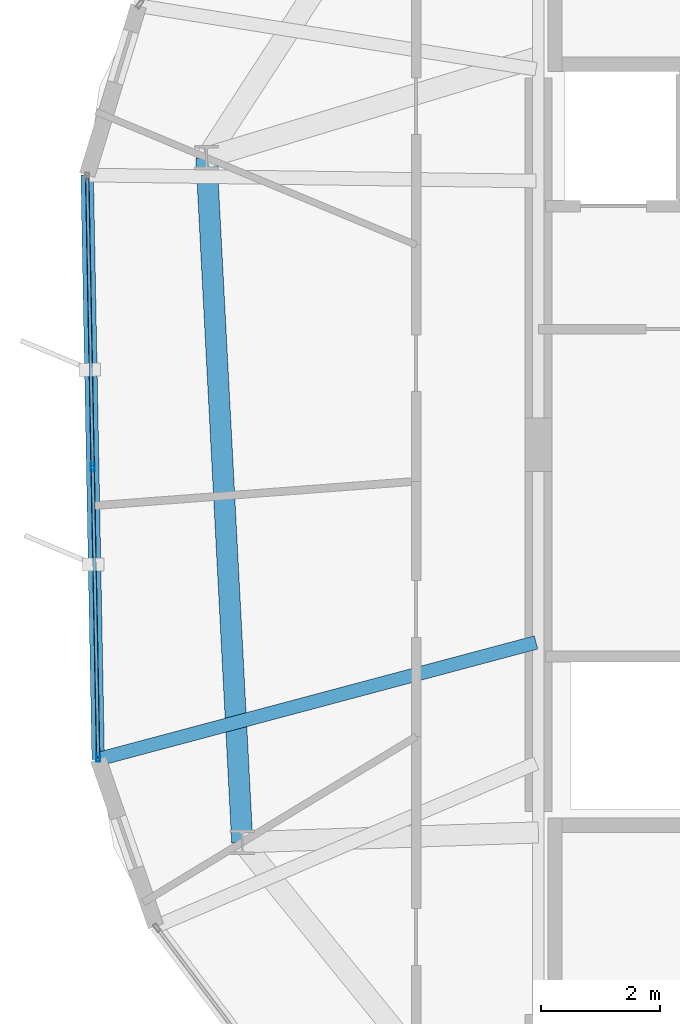
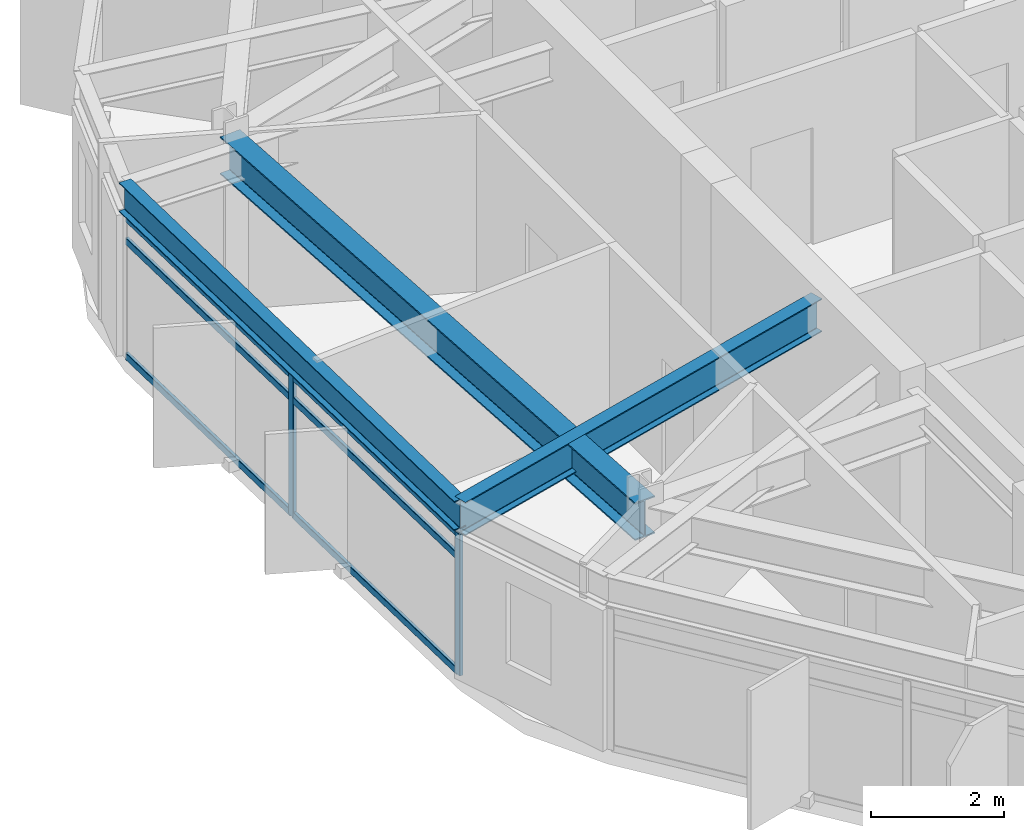
# One storey, part 10 of 34: 8 members, 3 beams, 1 element without a shape of its own.
"""IFC4 building model written with IfcOpenShell, lengths in metres."""

import ifcopenshell
import ifcopenshell.guid

model = None  # the IFC model being written
_history = None  # IfcOwnerHistory: only IFC2X3 demands one
_inside = {}  # id of a spatial element -> (the spatial element, [elements in it])
_under = {}  # id of a project, library or spatial element -> (it, [spatial elements below it])
_declared = {}  # id of a project -> (the project, [libraries it declares])
_typed = {}  # id of a type object -> (the type object, [elements of that type])
_made_of = {}  # id of a material, layer set ... -> (it, [elements and type objects made of it])


def new_model(schema):
    """Start an empty IFC model of exactly this schema.

    Asked for "IFC4X3", IfcOpenShell would pick the latest addendum, in which some entities
    have other attributes; the version numbers below select the first issue.
    IFC2X3 requires an IfcOwnerHistory on every rooted entity: one is made here for all.
    """
    global model, _history
    if schema == "IFC4X3":
        model = ifcopenshell.file(schema_version=(4, 3, 0, 0))
    else:
        model = ifcopenshell.file(schema=schema)
    _inside.clear()
    _under.clear()
    _declared.clear()
    _typed.clear()
    _made_of.clear()
    _history = None
    if model.schema == "IFC2X3":
        org = make("IfcOrganization", Name="unknown")
        user = make(
            "IfcPersonAndOrganization",
            ThePerson=make("IfcPerson", FamilyName="unknown"),
            TheOrganization=org,
        )
        app = make(
            "IfcApplication",
            ApplicationDeveloper=org,
            Version="unknown",
            ApplicationFullName="unknown",
            ApplicationIdentifier="unknown",
        )
        _history = make(
            "IfcOwnerHistory",
            OwningUser=user,
            OwningApplication=app,
            ChangeAction="ADDED",
            CreationDate=0,
        )
    return model


def make(cls, **values):
    """One entity of the class cls with the attributes given. An attribute that is None is left unset."""
    return model.create_entity(
        cls, **{name: value for name, value in values.items() if value is not None}
    )


def rooted(cls, **values):
    """An entity with a GlobalId (a new one), such as an element, a storey or a relation."""
    return make(cls, GlobalId=ifcopenshell.guid.new(), OwnerHistory=_history, **values)


def si_unit(unit_type, name, prefix=None):
    """IfcSIUnit, for example si_unit("LENGTHUNIT", "METRE", prefix="MILLI")."""
    return make("IfcSIUnit", UnitType=unit_type, Prefix=prefix, Name=name)


def assignment(units):
    """IfcUnitAssignment: the units of a project."""
    return None if units is None else make("IfcUnitAssignment", Units=units)


def point(xyz):
    """IfcCartesianPoint."""
    return None if xyz is None else make("IfcCartesianPoint", Coordinates=xyz)


def direction(xyz):
    """IfcDirection."""
    return None if xyz is None else make("IfcDirection", DirectionRatios=xyz)


def frame(location, z_axis=None, x_axis=None):
    """IfcAxis2Placement3D, a coordinate frame: its origin and axes. An axis left out is left unset."""
    return make(
        "IfcAxis2Placement3D",
        Location=point(location),
        Axis=direction(z_axis),
        RefDirection=direction(x_axis),
    )


def frame_2d(location, x_axis=None):
    """IfcAxis2Placement2D, a coordinate frame in the plane: its origin and x axis."""
    return make(
        "IfcAxis2Placement2D", Location=point(location), RefDirection=direction(x_axis)
    )


def origin():
    """The frame at (0, 0, 0) with its axes left unset."""
    return frame((0.0, 0.0, 0.0))


def origin_2d():
    """The frame at (0, 0) in the plane with its x axis left unset."""
    return frame_2d((0.0, 0.0))


def place(relative_to, where):
    """IfcLocalPlacement: puts the frame where relative to a parent placement (None: the world)."""
    return make(
        "IfcLocalPlacement", PlacementRelTo=relative_to, RelativePlacement=where
    )


def context(
    kind, dimensions, precision=None, world=None, true_north=None, identifier=None
):
    """IfcGeometricRepresentationContext, for example the 3D "Model" context."""
    return make(
        "IfcGeometricRepresentationContext",
        ContextIdentifier=identifier,
        ContextType=kind,
        CoordinateSpaceDimension=dimensions,
        Precision=precision,
        WorldCoordinateSystem=world,
        TrueNorth=true_north,
    )


def subcontext(parent, identifier, kind, view, scale=None):
    """IfcGeometricRepresentationSubContext, for example "Body" below "Model"."""
    return make(
        "IfcGeometricRepresentationSubContext",
        ContextIdentifier=identifier,
        ContextType=kind,
        ParentContext=parent,
        TargetScale=scale,
        TargetView=view,
    )


def project(units=None, contexts=None):
    """IfcProject with its units and contexts."""
    return rooted(
        "IfcProject",
        Name="project",
        RepresentationContexts=contexts,
        UnitsInContext=assignment(units),
    )


def spatial(cls, under=None, at=None, **own):
    """A site, building, storey or space (cls), placed at a placement, below another one or the project."""
    s = rooted(cls, ObjectPlacement=at, **own)
    if under is not None:
        _under.setdefault(under.id(), (under, []))[1].append(s)
    return s


def profile(cls, at=None, kind="AREA", **sizes):
    """A parametric profile (cls). Its sizes go by their IFC names, for example OverallWidth=200.0."""
    return make(cls, ProfileType=kind, Position=at, **sizes)


def hollow_rectangle(**sizes):
    """IfcRectangleHollowProfileDef."""
    return profile("IfcRectangleHollowProfileDef", **sizes)


def i_section(**sizes):
    """IfcIShapeProfileDef."""
    return profile("IfcIShapeProfileDef", **sizes)


def extrude(swept, where, along, depth):
    """IfcExtrudedAreaSolid: the profile swept, set in the frame where, extruded along a direction by depth."""
    return make(
        "IfcExtrudedAreaSolid",
        SweptArea=swept,
        Position=where,
        ExtrudedDirection=direction(along),
        Depth=depth,
    )


def shape(context_of_items, identifier, shape_type, items):
    """IfcShapeRepresentation: the items that make up one representation, for example the "Body"."""
    return make(
        "IfcShapeRepresentation",
        ContextOfItems=context_of_items,
        RepresentationIdentifier=identifier,
        RepresentationType=shape_type,
        Items=items,
    )


def material(Name=None, Category=None):
    """IfcMaterial."""
    return make("IfcMaterial", Name=Name, Category=Category)


def layer(
    of_material, thickness, ventilated=None, Name=None, Category=None, Priority=None
):
    """IfcMaterialLayer: one layer of a wall or slab, of a material (None: an air gap)."""
    return make(
        "IfcMaterialLayer",
        Material=of_material,
        LayerThickness=thickness,
        IsVentilated=ventilated,
        Name=Name,
        Category=Category,
        Priority=Priority,
    )


def layer_set(layers, Name=None):
    """IfcMaterialLayerSet."""
    return make("IfcMaterialLayerSet", MaterialLayers=layers, LayerSetName=Name)


def material_profile(
    of_material, cross_section, Name=None, Category=None, Priority=None
):
    """IfcMaterialProfile: a cross section and its material."""
    return make(
        "IfcMaterialProfile",
        Name=Name,
        Material=of_material,
        Profile=cross_section,
        Priority=Priority,
        Category=Category,
    )


def profile_set(profiles, Name=None, composite=None):
    """IfcMaterialProfileSet."""
    return make(
        "IfcMaterialProfileSet",
        Name=Name,
        MaterialProfiles=profiles,
        CompositeProfile=composite,
    )


def made_of(thing, what):
    """Note that an element or type object is made of a material, layer set ...; save() writes the relation."""
    if what is not None:
        _made_of.setdefault(what.id(), (what, []))[1].append(thing)
    return thing


def type_object(cls, material=None, **own):
    """A type object (cls), such as IfcWallType, which elements share."""
    return made_of(rooted(cls, **own), material)


def element(
    cls,
    number,
    at=None,
    inside=None,
    cuts=None,
    type_object=None,
    material=None,
    context=None,
    identifier="Body",
    shape_type=None,
    held_by="IfcProductDefinitionShape",
    body=None,
    shapes=None,
    **own,
):
    """One element of the class cls, such as IfcWall. Its Tag is "e" and its number.

    at: its placement. inside: the storey or other place that contains it. cuts: it is an
    opening in that element (IfcRelVoidsElement). A single representation is given by context,
    identifier, shape_type and body (its items); several are given by shapes. held_by: the class
    of the entity that holds the representations. save() writes the other relations.
    """
    e = rooted(cls, Tag="e%d" % number, ObjectPlacement=at, **own)
    if body is not None:
        shapes = [shape(context, identifier, shape_type, body)]
    if shapes is not None:
        e.Representation = make(held_by, Representations=shapes)
    if inside is not None:
        _inside.setdefault(inside.id(), (inside, []))[1].append(e)
    if cuts is not None:
        rooted(
            "IfcRelVoidsElement", RelatingBuildingElement=cuts, RelatedOpeningElement=e
        )
    if type_object is not None:
        _typed.setdefault(type_object.id(), (type_object, []))[1].append(e)
    return made_of(e, material)


def aggregate(whole, parts):
    """IfcRelAggregates: a whole, such as a stair, and the parts it consists of."""
    return rooted("IfcRelAggregates", RelatingObject=whole, RelatedObjects=parts)


def save(model, path):
    """Write the relations noted so far, then the file.

    IfcRelAggregates (storeys below a building ...), IfcRelContainedInSpatialStructure (elements
    in a storey), IfcRelDefinesByType, IfcRelAssociatesMaterial and IfcRelDeclares: one each for
    every whole, place, type object, material and project.
    """
    for whole, parts in _under.values():
        aggregate(whole, parts)
    for where, things in _inside.values():
        rooted(
            "IfcRelContainedInSpatialStructure",
            RelatedElements=things,
            RelatingStructure=where,
        )
    for kind, things in _typed.values():
        rooted("IfcRelDefinesByType", RelatedObjects=things, RelatingType=kind)
    for what, things in _made_of.values():
        rooted("IfcRelAssociatesMaterial", RelatedObjects=things, RelatingMaterial=what)
    for by, libraries in _declared.values():
        rooted("IfcRelDeclares", RelatingContext=by, RelatedDefinitions=libraries)
    model.write(path)


model = new_model("IFC4")

# Units and contexts
model_context = context("Model", 3, precision=1e-05, world=origin(), true_north=direction((0.0, 1.0)))
body_context = subcontext(model_context, "Body", "Model", "MODEL_VIEW")
ifc_project = project(units=[si_unit("LENGTHUNIT", "METRE"), si_unit("AREAUNIT", "SQUARE_METRE"), si_unit("VOLUMEUNIT", "CUBIC_METRE"), si_unit("PLANEANGLEUNIT", "RADIAN"), si_unit("MASSUNIT", "GRAM", prefix="KILO")], contexts=[model_context])

# Site, building, storey
site_placement = place(None, origin())
site = spatial("IfcSite", under=ifc_project, at=site_placement, CompositionType="ELEMENT")
building_placement = place(site_placement, origin())
building = spatial("IfcBuilding", under=site, at=building_placement, Name="Soratama Intermodal Tower", CompositionType="ELEMENT")
storey_placement = place(building_placement, frame((0.0, 0.0, 233.800048828125)))
storey = spatial("IfcBuildingStorey", under=building, at=storey_placement, Name="L59", CompositionType="ELEMENT", Elevation=233.800048828125)

# Beams
ifc_material_1 = material(Name="Structural steel ASTM A992 Grade 50", Category="steel")
ifc_material_profile_1 = material_profile(ifc_material_1, i_section(OverallWidth=0.35498046875, OverallDepth=0.695068359375, WebThickness=0.015380859375, FlangeThickness=0.02490234375, FilletRadius=0.01611328125, at=origin_2d()), Name="W27X146")
ifc_profile_set_1 = profile_set([ifc_material_profile_1], Name="Structural steel ASTM A992 Grade 50")
beam_type_1 = type_object("IfcBeamType", Name="BM-RING-W27X146", PredefinedType="BEAM", material=ifc_profile_set_1)
beam_1_placement = place(storey_placement, frame((27.033935546875, 29.81396484375, 2.87255859375), z_axis=(0.052286849724, -0.998632107108, 0.0), x_axis=(0.998632107108, 0.052286849724, 0.0)))
element("IfcBeam", 1, at=beam_1_placement, inside=storey, type_object=beam_type_1, Name="BM-L59-RING-05", PredefinedType="BEAM", context=body_context, shape_type="SweptSolid", body=[
    extrude(i_section(OverallWidth=0.35498046875, OverallDepth=0.695068359375, WebThickness=0.015380859375, FlangeThickness=0.02490234375, FilletRadius=0.01611328125, at=origin_2d()), origin(), (0.0, 0.0, 1.0), 11.49560546875),
])
ifc_material_2 = material(Name="Structural steel ASTM A992 Grade 50", Category="steel")
ifc_material_profile_2 = material_profile(ifc_material_2, i_section(OverallWidth=0.2099609375, OverallDepth=0.537109375, WebThickness=0.010986328125, FlangeThickness=0.017333984375, FilletRadius=0.012939453125, at=origin_2d()), Name="W21X68")
ifc_profile_set_2 = profile_set([ifc_material_profile_2], Name="Structural steel ASTM A992 Grade 50")
beam_type_2 = type_object("IfcBeamType", Name="BM-SPN-W21X68", PredefinedType="SPANDREL", material=ifc_profile_set_2)
beam_2_placement = place(storey_placement, frame((25.033935546875, 29.52294921875, 2.951416015625), z_axis=(0.018888066401, -0.999821604561, 0.0), x_axis=(0.999821604561, 0.018888066401, 0.0)))
element("IfcBeam", 2, at=beam_2_placement, inside=storey, type_object=beam_type_2, Name="BS-L59-F04", PredefinedType="SPANDREL", context=body_context, shape_type="SweptSolid", body=[
    extrude(i_section(OverallWidth=0.2099609375, OverallDepth=0.537109375, WebThickness=0.010986328125, FlangeThickness=0.017333984375, FilletRadius=0.012939453125, at=origin_2d()), origin(), (0.0, 0.0, 1.0), 9.797607421875),
])
ifc_material_3 = material(Name="Structural steel ASTM A992 Grade 50", Category="steel")
ifc_material_profile_3 = material_profile(ifc_material_3, i_section(OverallWidth=0.22900390625, OverallDepth=0.612060546875, WebThickness=0.011962890625, FlangeThickness=0.01953125, FilletRadius=0.012939453125, at=origin_2d()), Name="W24X84")
ifc_profile_set_3 = profile_set([ifc_material_profile_3], Name="Structural steel ASTM A992 Grade 50")
beam_type_3 = type_object("IfcBeamType", Name="BM-TIE-W24X84", PredefinedType="BEAM", material=ifc_profile_set_3)
beam_3_placement = place(storey_placement, frame((32.56103515625, 21.68505859375, 2.9140625), z_axis=(-0.96623067331, -0.25767864862, 0.0), x_axis=(0.25767864862, -0.96623067331, 0.0)))
element("IfcBeam", 3, at=beam_3_placement, inside=storey, type_object=beam_type_3, Name="BM-L59-TIE1-04", PredefinedType="BEAM", context=body_context, shape_type="SweptSolid", body=[
    extrude(i_section(OverallWidth=0.22900390625, OverallDepth=0.612060546875, WebThickness=0.011962890625, FlangeThickness=0.01953125, FilletRadius=0.012939453125, at=origin_2d()), origin(), (0.0, 0.0, 1.0), 7.5986328125),
])

# Curtain wall, members
ifc_material_4 = material(Name="Double-glazed aluminium curtain wall", Category="aluminium")
ifc_layer = layer(ifc_material_4, 0.159912109375)
ifc_layer_set = layer_set([ifc_layer], Name="Double-glazed aluminium curtain wall")
curtain_wall_type = type_object("IfcCurtainWallType", Name="CW-SYS-5", PredefinedType="NOTDEFINED", material=ifc_layer_set)
curtain_wall_placement = place(storey_placement, origin())
curtain_wall = element("IfcCurtainWall", 4, at=curtain_wall_placement, inside=storey, type_object=curtain_wall_type, Name="L59 Faceted Curtain Wall F04", PredefinedType="NOTDEFINED")
ifc_material_5 = material(Name="Anodised aluminium AA 6063-T6", Category="aluminium")
ifc_material_profile_4 = material_profile(ifc_material_5, hollow_rectangle(XDim=0.06494140625, YDim=0.139892578125, WallThickness=0.0048828125, InnerFilletRadius=0.0048828125, OuterFilletRadius=0.010009765625, at=origin_2d()), Name="CWM140X65X5")
ifc_profile_set_4 = profile_set([ifc_material_profile_4], Name="Anodised aluminium AA 6063-T6")
member_type_1 = type_object("IfcMemberType", Name="MT-CWM-5", PredefinedType="MULLION", material=ifc_profile_set_4)
member_1_placement = place(storey_placement, frame((25.12646484375, 24.625244140625, 0.0), z_axis=(0.0, 0.0, 1.0), x_axis=(0.999822295129, 0.018851476433, 0.0)))
member_1 = element("IfcMember", 5, at=member_1_placement, type_object=member_type_1, Name="CW-5 mullion 2", PredefinedType="MULLION", context=body_context, shape_type="SweptSolid", body=[
    extrude(hollow_rectangle(XDim=0.06494140625, YDim=0.139892578125, WallThickness=0.0048828125, InnerFilletRadius=0.0048828125, OuterFilletRadius=0.010009765625, at=origin_2d()), origin(), (0.0, 0.0, 1.0), 2.598876953125),
])
member_2_placement = place(storey_placement, frame((25.21826171875, 19.75732421875, 0.0), z_axis=(0.0, 0.0, 1.0), x_axis=(0.999822295129, 0.018851476433, 0.0)))
member_2 = element("IfcMember", 6, at=member_2_placement, type_object=member_type_1, Name="CW-5 mullion 3", PredefinedType="MULLION", context=body_context, shape_type="SweptSolid", body=[
    extrude(hollow_rectangle(XDim=0.06494140625, YDim=0.139892578125, WallThickness=0.0048828125, InnerFilletRadius=0.0048828125, OuterFilletRadius=0.010009765625, at=origin_2d()), origin(), (0.0, 0.0, 1.0), 2.598876953125),
])
ifc_material_6 = material(Name="Anodised aluminium AA 6063-T6", Category="aluminium")
ifc_material_profile_5 = material_profile(ifc_material_6, hollow_rectangle(XDim=0.06005859375, YDim=0.1298828125, WallThickness=0.0048828125, InnerFilletRadius=0.0048828125, OuterFilletRadius=0.010009765625, at=origin_2d()), Name="CWT130X60X5")
ifc_profile_set_5 = profile_set([ifc_material_profile_5], Name="Anodised aluminium AA 6063-T6")
member_type_2 = type_object("IfcMemberType", Name="TT-CWT-2", PredefinedType="USERDEFINED", material=ifc_profile_set_5)
member_3_placement = place(storey_placement, frame((25.03515625, 29.46337890625, 0.030029296875), z_axis=(0.018885632883, -0.999821650531, 0.0), x_axis=(0.999821650531, 0.018885632883, 0.0)))
member_3 = element("IfcMember", 7, at=member_3_placement, type_object=member_type_2, Name="CW-5 transom 1.1", ObjectType="TRANSOM", PredefinedType="USERDEFINED", context=body_context, shape_type="SweptSolid", body=[
    extrude(hollow_rectangle(XDim=0.06005859375, YDim=0.1298828125, WallThickness=0.0048828125, InnerFilletRadius=0.0048828125, OuterFilletRadius=0.010009765625, at=origin_2d()), origin(), (0.0, 0.0, 1.0), 4.80908203125),
])
member_4_placement = place(storey_placement, frame((25.03515625, 29.46337890625, 2.14990234375), z_axis=(0.018885632883, -0.999821650531, 0.0), x_axis=(0.999821650531, 0.018885632883, 0.0)))
member_4 = element("IfcMember", 8, at=member_4_placement, type_object=member_type_2, Name="CW-5 transom 1.2", ObjectType="TRANSOM", PredefinedType="USERDEFINED", context=body_context, shape_type="SweptSolid", body=[
    extrude(hollow_rectangle(XDim=0.06005859375, YDim=0.1298828125, WallThickness=0.0048828125, InnerFilletRadius=0.0048828125, OuterFilletRadius=0.010009765625, at=origin_2d()), origin(), (0.0, 0.0, 1.0), 4.80908203125),
])
member_5_placement = place(storey_placement, frame((25.03515625, 29.46337890625, 2.56884765625), z_axis=(0.018885632883, -0.999821650531, 0.0), x_axis=(0.999821650531, 0.018885632883, 0.0)))
member_5 = element("IfcMember", 9, at=member_5_placement, type_object=member_type_2, Name="CW-5 transom 1.3", ObjectType="TRANSOM", PredefinedType="USERDEFINED", context=body_context, shape_type="SweptSolid", body=[
    extrude(hollow_rectangle(XDim=0.06005859375, YDim=0.1298828125, WallThickness=0.0048828125, InnerFilletRadius=0.0048828125, OuterFilletRadius=0.010009765625, at=origin_2d()), origin(), (0.0, 0.0, 1.0), 4.80908203125),
])
member_6_placement = place(storey_placement, frame((25.126953125, 24.595458984375, 0.030029296875), z_axis=(0.018885632883, -0.999821650531, 0.0), x_axis=(0.999821650531, 0.018885632883, 0.0)))
member_6 = element("IfcMember", 10, at=member_6_placement, type_object=member_type_2, Name="CW-5 transom 2.1", ObjectType="TRANSOM", PredefinedType="USERDEFINED", context=body_context, shape_type="SweptSolid", body=[
    extrude(hollow_rectangle(XDim=0.06005859375, YDim=0.1298828125, WallThickness=0.0048828125, InnerFilletRadius=0.0048828125, OuterFilletRadius=0.010009765625, at=origin_2d()), origin(), (0.0, 0.0, 1.0), 4.80908203125),
])
member_7_placement = place(storey_placement, frame((25.126953125, 24.595458984375, 2.14990234375), z_axis=(0.018885632883, -0.999821650531, 0.0), x_axis=(0.999821650531, 0.018885632883, 0.0)))
member_7 = element("IfcMember", 11, at=member_7_placement, type_object=member_type_2, Name="CW-5 transom 2.2", ObjectType="TRANSOM", PredefinedType="USERDEFINED", context=body_context, shape_type="SweptSolid", body=[
    extrude(hollow_rectangle(XDim=0.06005859375, YDim=0.1298828125, WallThickness=0.0048828125, InnerFilletRadius=0.0048828125, OuterFilletRadius=0.010009765625, at=origin_2d()), origin(), (0.0, 0.0, 1.0), 4.80908203125),
])
member_8_placement = place(storey_placement, frame((25.126953125, 24.595458984375, 2.56884765625), z_axis=(0.018885632883, -0.999821650531, 0.0), x_axis=(0.999821650531, 0.018885632883, 0.0)))
member_8 = element("IfcMember", 12, at=member_8_placement, type_object=member_type_2, Name="CW-5 transom 2.3", ObjectType="TRANSOM", PredefinedType="USERDEFINED", context=body_context, shape_type="SweptSolid", body=[
    extrude(hollow_rectangle(XDim=0.06005859375, YDim=0.1298828125, WallThickness=0.0048828125, InnerFilletRadius=0.0048828125, OuterFilletRadius=0.010009765625, at=origin_2d()), origin(), (0.0, 0.0, 1.0), 4.80908203125),
])
aggregate(curtain_wall, [member_1, member_2, member_3, member_4, member_5, member_6, member_7, member_8])

save(model, "model.ifc")
